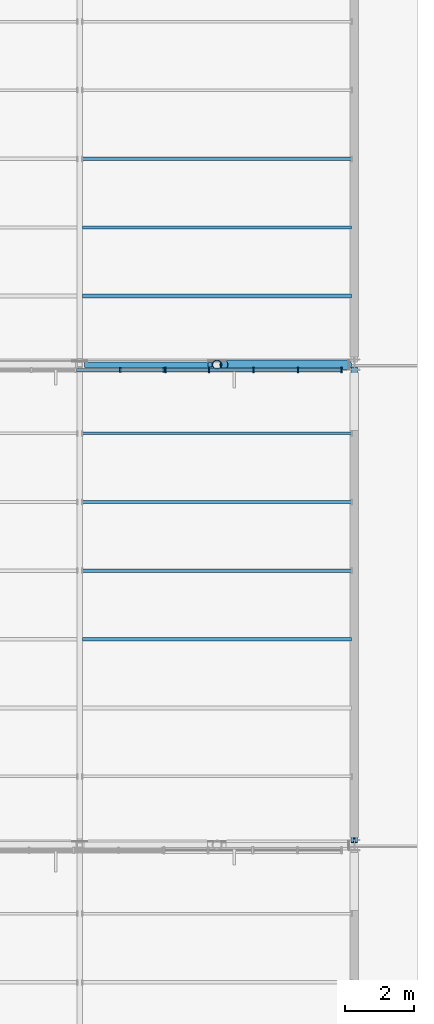
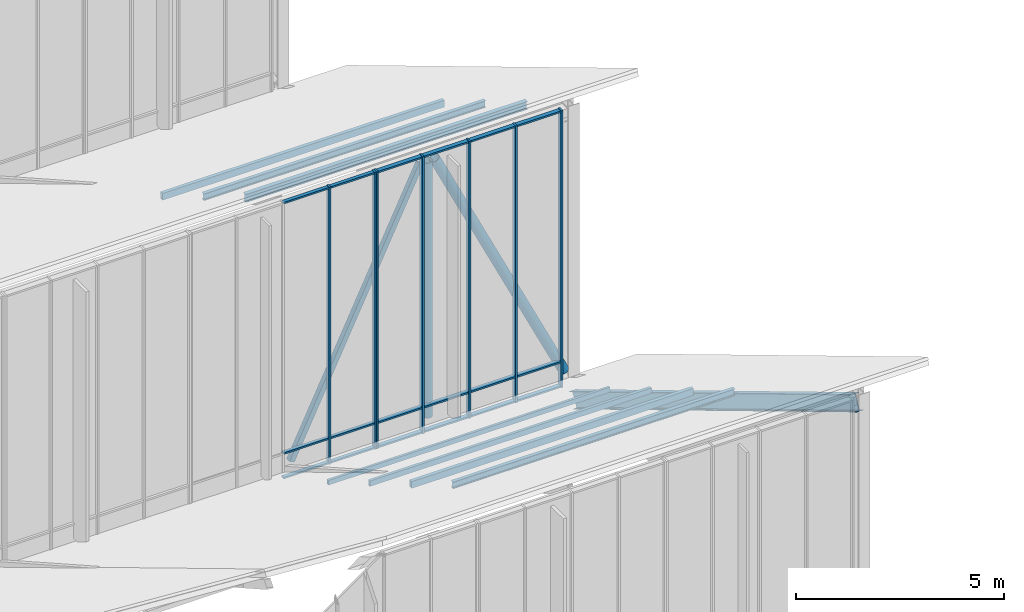
# One storey, part 48 of 155: 35 members, 1 beam, 2 elements without a shape of their own.
"""IFC4 building model written with IfcOpenShell, lengths in metres."""

from ifc_helpers import new_model, si_unit, direction, frame, origin, origin_2d, place, context, subcontext, project, spatial, rectangle, hollow_rectangle, hollow_circle, i_section, extrude, material, material_profile, profile_set, type_object, element, aggregate, save


model = new_model("IFC4")

# Units and contexts
model_context = context("Model", 3, precision=1e-05, world=origin(), true_north=direction((0.0, 1.0)))
body_context = subcontext(model_context, "Body", "Model", "MODEL_VIEW")
ifc_project = project(units=[si_unit("LENGTHUNIT", "METRE"), si_unit("AREAUNIT", "SQUARE_METRE"), si_unit("VOLUMEUNIT", "CUBIC_METRE"), si_unit("PLANEANGLEUNIT", "RADIAN"), si_unit("MASSUNIT", "GRAM", prefix="KILO")], contexts=[model_context])

# Site, building, storey
site_placement = place(None, origin())
site = spatial("IfcSite", under=ifc_project, at=site_placement, CompositionType="ELEMENT")
building_placement = place(site_placement, origin())
building = spatial("IfcBuilding", under=site, at=building_placement, Name="Larkveld Mobility Hub", CompositionType="ELEMENT")
storey_placement = place(building_placement, frame((0.0, 0.0, 8.39990234375)))
storey = spatial("IfcBuildingStorey", under=building, at=storey_placement, Name="L02", CompositionType="ELEMENT", Elevation=8.39990234375)

# Beam
ifc_material_1 = material(Name="Steel S355JR", Category="steel")
ifc_material_profile_1 = material_profile(ifc_material_1, i_section(OverallWidth=0.18994140625, OverallDepth=0.449951171875, WebThickness=0.009521484375, FlangeThickness=0.0146484375, FilletRadius=0.02099609375, at=origin_2d()), Name="IPE 450")
ifc_profile_set_1 = profile_set([ifc_material_profile_1], Name="Steel S355JR")
beam_type = type_object("IfcBeamType", Name="BM-STIPE450", PredefinedType="BEAM", material=ifc_profile_set_1)
beam_placement = place(storey_placement, frame((184.0, 42.179931640625, 7.68408203125), z_axis=(0.0, 0.857492925713, -0.514495755428), x_axis=(-1.0, 0.0, 0.0)))
element("IfcBeam", 1, at=beam_placement, inside=storey, type_object=beam_type, Name="ROOF TRUSS Sawtooth Edge Rafter B2-184", PredefinedType="BEAM", context=body_context, shape_type="SweptSolid", body=[
    extrude(i_section(OverallWidth=0.18994140625, OverallDepth=0.449951171875, WebThickness=0.009521484375, FlangeThickness=0.0146484375, FilletRadius=0.02099609375, at=origin_2d()), origin(), (0.0, 0.0, 1.0), 15.906982421875),
])

# Curtain wall, members
ifc_material_2 = material(Name="Anodised aluminium 6063-T6", Category="aluminium")
curtain_wall_type_1 = type_object("IfcCurtainWallType", Name="CW-SYS-01", PredefinedType="NOTDEFINED", material=ifc_material_2)
curtain_wall_1_placement = place(storey_placement, origin())
curtain_wall_1 = element("IfcCurtainWall", 2, at=curtain_wall_1_placement, inside=storey, type_object=curtain_wall_type_1, Name="Sawtooth South-Light Clerestory B3 CW-025", PredefinedType="NOTDEFINED")
ifc_material_profile_2 = material_profile(ifc_material_2, rectangle(XDim=0.050048828125, YDim=0.14990234375, at=origin_2d()), Name="ALU MULL 50x150")
ifc_profile_set_2 = profile_set([ifc_material_profile_2], Name="Anodised aluminium 6063-T6")
member_type_1 = type_object("IfcMemberType", Name="CW-MUL-01", PredefinedType="MULLION", material=ifc_profile_set_2)
member_1_placement = place(storey_placement, frame((178.4970703125, 55.844970703125, -0.001953125), z_axis=(0.0, 0.0, 1.0), x_axis=(1.0, 0.0, 0.0)))
member_1 = element("IfcMember", 3, at=member_1_placement, type_object=member_type_1, Name="CW01 mullion 1", PredefinedType="MULLION", context=body_context, shape_type="SweptSolid", body=[
    extrude(rectangle(XDim=0.050048828125, YDim=0.14990234375, at=origin_2d()), origin(), (0.0, 0.0, 1.0), 8.152099609375),
])
member_2_placement = place(storey_placement, frame((179.76708984375, 55.844970703125, -0.001953125), z_axis=(0.0, 0.0, 1.0), x_axis=(1.0, 0.0, 0.0)))
member_2 = element("IfcMember", 4, at=member_2_placement, type_object=member_type_1, Name="CW01 mullion 2", PredefinedType="MULLION", context=body_context, shape_type="SweptSolid", body=[
    extrude(rectangle(XDim=0.050048828125, YDim=0.14990234375, at=origin_2d()), origin(), (0.0, 0.0, 1.0), 8.152099609375),
])
member_3_placement = place(storey_placement, frame((181.06103515625, 55.844970703125, -0.001953125), z_axis=(0.0, 0.0, 1.0), x_axis=(1.0, 0.0, 0.0)))
member_3 = element("IfcMember", 5, at=member_3_placement, type_object=member_type_1, Name="CW01 mullion 3", PredefinedType="MULLION", context=body_context, shape_type="SweptSolid", body=[
    extrude(rectangle(XDim=0.050048828125, YDim=0.14990234375, at=origin_2d()), origin(), (0.0, 0.0, 1.0), 8.152099609375),
])
member_4_placement = place(storey_placement, frame((182.35595703125, 55.844970703125, -0.001953125), z_axis=(0.0, 0.0, 1.0), x_axis=(1.0, 0.0, 0.0)))
member_4 = element("IfcMember", 6, at=member_4_placement, type_object=member_type_1, Name="CW01 mullion 4", PredefinedType="MULLION", context=body_context, shape_type="SweptSolid", body=[
    extrude(rectangle(XDim=0.050048828125, YDim=0.14990234375, at=origin_2d()), origin(), (0.0, 0.0, 1.0), 8.152099609375),
])
member_5_placement = place(storey_placement, frame((183.625, 55.844970703125, -0.001953125), z_axis=(0.0, 0.0, 1.0), x_axis=(1.0, 0.0, 0.0)))
member_5 = element("IfcMember", 7, at=member_5_placement, type_object=member_type_1, Name="CW01 mullion 5", PredefinedType="MULLION", context=body_context, shape_type="SweptSolid", body=[
    extrude(rectangle(XDim=0.050048828125, YDim=0.14990234375, at=origin_2d()), origin(), (0.0, 0.0, 1.0), 8.152099609375),
])

curtain_wall_type_2 = type_object("IfcCurtainWallType", Name="CW-SYS-12", PredefinedType="NOTDEFINED", material=ifc_material_2)
curtain_wall_2_placement = place(storey_placement, origin())
curtain_wall_2 = element("IfcCurtainWall", 8, at=curtain_wall_2_placement, inside=storey, type_object=curtain_wall_type_2, Name="Sawtooth South-Light Clerestory B3 CW-024", PredefinedType="NOTDEFINED")
ifc_material_profile_3 = material_profile(ifc_material_2, rectangle(XDim=0.050048828125, YDim=0.1298828125, at=origin_2d()), Name="ALU MULL 50x130")
ifc_profile_set_3 = profile_set([ifc_material_profile_3], Name="Anodised aluminium 6063-T6")
member_type_2 = type_object("IfcMemberType", Name="CW-MUL-04", PredefinedType="MULLION", material=ifc_profile_set_3)
member_6_placement = place(storey_placement, frame((177.177001953125, 55.844970703125, -0.001953125), z_axis=(0.0, 0.0, 1.0), x_axis=(1.0, 0.0, 0.0)))
member_6 = element("IfcMember", 9, at=member_6_placement, type_object=member_type_2, Name="CW12 mullion 4", PredefinedType="MULLION", context=body_context, shape_type="SweptSolid", body=[
    extrude(rectangle(XDim=0.050048828125, YDim=0.1298828125, at=origin_2d()), origin(), (0.0, 0.0, 1.0), 8.152099609375),
])
member_7_placement = place(storey_placement, frame((178.446044921875, 55.844970703125, -0.001953125), z_axis=(0.0, 0.0, 1.0), x_axis=(1.0, 0.0, 0.0)))
member_7 = element("IfcMember", 10, at=member_7_placement, type_object=member_type_2, Name="CW12 mullion 5", PredefinedType="MULLION", context=body_context, shape_type="SweptSolid", body=[
    extrude(rectangle(XDim=0.050048828125, YDim=0.1298828125, at=origin_2d()), origin(), (0.0, 0.0, 1.0), 8.152099609375),
])

# Member
ifc_material_profile_4 = material_profile(ifc_material_2, rectangle(XDim=0.1201171875, YDim=0.050048828125, at=origin_2d()), Name="ALU TRAN 50x120")
ifc_profile_set_4 = profile_set([ifc_material_profile_4], Name="Anodised aluminium 6063-T6")
member_type_3 = type_object("IfcMemberType", Name="CW-TRN-01", PredefinedType="USERDEFINED", material=ifc_profile_set_4)
member_8_placement = place(storey_placement, frame((178.507080078125, 55.844970703125, 0.030029296875), z_axis=(1.0, 0.0, 0.0), x_axis=(0.0, 1.0, 0.0)))
member_8 = element("IfcMember", 11, at=member_8_placement, type_object=member_type_3, Name="CW01 transom 1.1", ObjectType="TRANSOM", PredefinedType="USERDEFINED", context=body_context, shape_type="SweptSolid", body=[
    extrude(rectangle(XDim=0.1201171875, YDim=0.050048828125, at=origin_2d()), origin(), (0.0, 0.0, 1.0), 1.244873046875),
])

member_9_placement = place(storey_placement, frame((178.507080078125, 55.844970703125, 0.75), z_axis=(1.0, 0.0, 0.0), x_axis=(0.0, 1.0, 0.0)))
member_9 = element("IfcMember", 12, at=member_9_placement, type_object=member_type_3, Name="CW01 transom 1.2", ObjectType="TRANSOM", PredefinedType="USERDEFINED", context=body_context, shape_type="SweptSolid", body=[
    extrude(rectangle(XDim=0.1201171875, YDim=0.050048828125, at=origin_2d()), origin(), (0.0, 0.0, 1.0), 1.244873046875),
])

member_10_placement = place(storey_placement, frame((178.507080078125, 55.844970703125, 8.1181640625), z_axis=(1.0, 0.0, 0.0), x_axis=(0.0, 1.0, 0.0)))
member_10 = element("IfcMember", 13, at=member_10_placement, type_object=member_type_3, Name="CW01 transom 1.3", ObjectType="TRANSOM", PredefinedType="USERDEFINED", context=body_context, shape_type="SweptSolid", body=[
    extrude(rectangle(XDim=0.1201171875, YDim=0.050048828125, at=origin_2d()), origin(), (0.0, 0.0, 1.0), 1.244873046875),
])

member_11_placement = place(storey_placement, frame((179.781982421875, 55.844970703125, 0.030029296875), z_axis=(1.0, 0.0, 0.0), x_axis=(0.0, 1.0, 0.0)))
member_11 = element("IfcMember", 14, at=member_11_placement, type_object=member_type_3, Name="CW01 transom 2.1", ObjectType="TRANSOM", PredefinedType="USERDEFINED", context=body_context, shape_type="SweptSolid", body=[
    extrude(rectangle(XDim=0.1201171875, YDim=0.050048828125, at=origin_2d()), origin(), (0.0, 0.0, 1.0), 1.263916015625),
])

member_12_placement = place(storey_placement, frame((179.781982421875, 55.844970703125, 0.75), z_axis=(1.0, 0.0, 0.0), x_axis=(0.0, 1.0, 0.0)))
member_12 = element("IfcMember", 15, at=member_12_placement, type_object=member_type_3, Name="CW01 transom 2.2", ObjectType="TRANSOM", PredefinedType="USERDEFINED", context=body_context, shape_type="SweptSolid", body=[
    extrude(rectangle(XDim=0.1201171875, YDim=0.050048828125, at=origin_2d()), origin(), (0.0, 0.0, 1.0), 1.263916015625),
])

member_13_placement = place(storey_placement, frame((179.781982421875, 55.844970703125, 8.1181640625), z_axis=(1.0, 0.0, 0.0), x_axis=(0.0, 1.0, 0.0)))
member_13 = element("IfcMember", 16, at=member_13_placement, type_object=member_type_3, Name="CW01 transom 2.3", ObjectType="TRANSOM", PredefinedType="USERDEFINED", context=body_context, shape_type="SweptSolid", body=[
    extrude(rectangle(XDim=0.1201171875, YDim=0.050048828125, at=origin_2d()), origin(), (0.0, 0.0, 1.0), 1.263916015625),
])

member_14_placement = place(storey_placement, frame((181.075927734375, 55.844970703125, 0.030029296875), z_axis=(1.0, 0.0, 0.0), x_axis=(0.0, 1.0, 0.0)))
member_14 = element("IfcMember", 17, at=member_14_placement, type_object=member_type_3, Name="CW01 transom 3.1", ObjectType="TRANSOM", PredefinedType="USERDEFINED", context=body_context, shape_type="SweptSolid", body=[
    extrude(rectangle(XDim=0.1201171875, YDim=0.050048828125, at=origin_2d()), origin(), (0.0, 0.0, 1.0), 1.26513671875),
])

member_15_placement = place(storey_placement, frame((181.075927734375, 55.844970703125, 0.75), z_axis=(1.0, 0.0, 0.0), x_axis=(0.0, 1.0, 0.0)))
member_15 = element("IfcMember", 18, at=member_15_placement, type_object=member_type_3, Name="CW01 transom 3.2", ObjectType="TRANSOM", PredefinedType="USERDEFINED", context=body_context, shape_type="SweptSolid", body=[
    extrude(rectangle(XDim=0.1201171875, YDim=0.050048828125, at=origin_2d()), origin(), (0.0, 0.0, 1.0), 1.26513671875),
])

member_16_placement = place(storey_placement, frame((181.075927734375, 55.844970703125, 8.1181640625), z_axis=(1.0, 0.0, 0.0), x_axis=(0.0, 1.0, 0.0)))
member_16 = element("IfcMember", 19, at=member_16_placement, type_object=member_type_3, Name="CW01 transom 3.3", ObjectType="TRANSOM", PredefinedType="USERDEFINED", context=body_context, shape_type="SweptSolid", body=[
    extrude(rectangle(XDim=0.1201171875, YDim=0.050048828125, at=origin_2d()), origin(), (0.0, 0.0, 1.0), 1.26513671875),
])

member_17_placement = place(storey_placement, frame((182.37109375, 55.844970703125, 0.030029296875), z_axis=(1.0, 0.0, 0.0), x_axis=(0.0, 1.0, 0.0)))
member_17 = element("IfcMember", 20, at=member_17_placement, type_object=member_type_3, Name="CW01 transom 4.1", ObjectType="TRANSOM", PredefinedType="USERDEFINED", context=body_context, shape_type="SweptSolid", body=[
    extrude(rectangle(XDim=0.1201171875, YDim=0.050048828125, at=origin_2d()), origin(), (0.0, 0.0, 1.0), 1.243896484375),
])

member_18_placement = place(storey_placement, frame((182.37109375, 55.844970703125, 0.75), z_axis=(1.0, 0.0, 0.0), x_axis=(0.0, 1.0, 0.0)))
member_18 = element("IfcMember", 21, at=member_18_placement, type_object=member_type_3, Name="CW01 transom 4.2", ObjectType="TRANSOM", PredefinedType="USERDEFINED", context=body_context, shape_type="SweptSolid", body=[
    extrude(rectangle(XDim=0.1201171875, YDim=0.050048828125, at=origin_2d()), origin(), (0.0, 0.0, 1.0), 1.243896484375),
])

member_19_placement = place(storey_placement, frame((182.37109375, 55.844970703125, 8.1181640625), z_axis=(1.0, 0.0, 0.0), x_axis=(0.0, 1.0, 0.0)))
member_19 = element("IfcMember", 22, at=member_19_placement, type_object=member_type_3, Name="CW01 transom 4.3", ObjectType="TRANSOM", PredefinedType="USERDEFINED", context=body_context, shape_type="SweptSolid", body=[
    extrude(rectangle(XDim=0.1201171875, YDim=0.050048828125, at=origin_2d()), origin(), (0.0, 0.0, 1.0), 1.243896484375),
])

aggregate(curtain_wall_1, [member_1, member_2, member_3, member_4, member_5, member_8, member_9, member_10, member_11, member_12, member_13, member_14, member_15, member_16, member_17, member_18, member_19])

ifc_material_profile_5 = material_profile(ifc_material_2, rectangle(XDim=0.10009765625, YDim=0.050048828125, at=origin_2d()), Name="ALU TRAN 50x100")
ifc_profile_set_5 = profile_set([ifc_material_profile_5], Name="Anodised aluminium 6063-T6")
member_type_4 = type_object("IfcMemberType", Name="CW-TRN-04", PredefinedType="USERDEFINED", material=ifc_profile_set_5)
member_20_placement = place(storey_placement, frame((175.89697265625, 55.844970703125, 0.030029296875), z_axis=(1.0, 0.0, 0.0), x_axis=(0.0, 1.0, 0.0)))
member_20 = element("IfcMember", 23, at=member_20_placement, type_object=member_type_4, Name="CW12 transom 3.1", ObjectType="TRANSOM", PredefinedType="USERDEFINED", context=body_context, shape_type="SweptSolid", body=[
    extrude(rectangle(XDim=0.10009765625, YDim=0.050048828125, at=origin_2d()), origin(), (0.0, 0.0, 1.0), 1.26513671875),
])

member_21_placement = place(storey_placement, frame((175.89697265625, 55.844970703125, 0.75), z_axis=(1.0, 0.0, 0.0), x_axis=(0.0, 1.0, 0.0)))
member_21 = element("IfcMember", 24, at=member_21_placement, type_object=member_type_4, Name="CW12 transom 3.2", ObjectType="TRANSOM", PredefinedType="USERDEFINED", context=body_context, shape_type="SweptSolid", body=[
    extrude(rectangle(XDim=0.10009765625, YDim=0.050048828125, at=origin_2d()), origin(), (0.0, 0.0, 1.0), 1.26513671875),
])

member_22_placement = place(storey_placement, frame((175.89697265625, 55.844970703125, 8.1181640625), z_axis=(1.0, 0.0, 0.0), x_axis=(0.0, 1.0, 0.0)))
member_22 = element("IfcMember", 25, at=member_22_placement, type_object=member_type_4, Name="CW12 transom 3.3", ObjectType="TRANSOM", PredefinedType="USERDEFINED", context=body_context, shape_type="SweptSolid", body=[
    extrude(rectangle(XDim=0.10009765625, YDim=0.050048828125, at=origin_2d()), origin(), (0.0, 0.0, 1.0), 1.26513671875),
])

member_23_placement = place(storey_placement, frame((177.19189453125, 55.844970703125, 0.030029296875), z_axis=(1.0, 0.0, 0.0), x_axis=(0.0, 1.0, 0.0)))
member_23 = element("IfcMember", 26, at=member_23_placement, type_object=member_type_4, Name="CW12 transom 4.1", ObjectType="TRANSOM", PredefinedType="USERDEFINED", context=body_context, shape_type="SweptSolid", body=[
    extrude(rectangle(XDim=0.10009765625, YDim=0.050048828125, at=origin_2d()), origin(), (0.0, 0.0, 1.0), 1.244140625),
])

member_24_placement = place(storey_placement, frame((177.19189453125, 55.844970703125, 0.75), z_axis=(1.0, 0.0, 0.0), x_axis=(0.0, 1.0, 0.0)))
member_24 = element("IfcMember", 27, at=member_24_placement, type_object=member_type_4, Name="CW12 transom 4.2", ObjectType="TRANSOM", PredefinedType="USERDEFINED", context=body_context, shape_type="SweptSolid", body=[
    extrude(rectangle(XDim=0.10009765625, YDim=0.050048828125, at=origin_2d()), origin(), (0.0, 0.0, 1.0), 1.244140625),
])

member_25_placement = place(storey_placement, frame((177.19189453125, 55.844970703125, 8.1181640625), z_axis=(1.0, 0.0, 0.0), x_axis=(0.0, 1.0, 0.0)))
member_25 = element("IfcMember", 28, at=member_25_placement, type_object=member_type_4, Name="CW12 transom 4.3", ObjectType="TRANSOM", PredefinedType="USERDEFINED", context=body_context, shape_type="SweptSolid", body=[
    extrude(rectangle(XDim=0.10009765625, YDim=0.050048828125, at=origin_2d()), origin(), (0.0, 0.0, 1.0), 1.244140625),
])

aggregate(curtain_wall_2, [member_6, member_7, member_20, member_21, member_22, member_23, member_24, member_25])

# Members
ifc_material_profile_6 = material_profile(ifc_material_1, hollow_circle(Radius=0.136474609375, WallThickness=0.012451171875, at=origin_2d()), Name="CHS 273x12.5")
ifc_profile_set_6 = profile_set([ifc_material_profile_6], Name="Steel S355JR")
member_type_5 = type_object("IfcMemberType", Name="MB-BR-CHS273", PredefinedType="BRACE", material=ifc_profile_set_6)
member_26_placement = place(storey_placement, frame((180.199951171875, 56.0, 7.8251953125), z_axis=(0.432694817509, 0.0, -0.901540456608), x_axis=(0.0, 1.0, 0.0)))
element("IfcMember", 29, at=member_26_placement, inside=storey, type_object=member_type_5, Name="ROOF TRUSS T3 Web Diagonal 8", PredefinedType="BRACE", context=body_context, shape_type="SweptSolid", body=[
    extrude(hollow_circle(Radius=0.136474609375, WallThickness=0.012451171875, at=origin_2d()), origin(), (0.0, 0.0, 1.0), 8.320068359375),
])
member_27_placement = place(storey_placement, frame((180.0, 56.0, 0.32421875), z_axis=(0.0, 0.0, 1.0), x_axis=(1.0, 0.0, 0.0)))
element("IfcMember", 30, at=member_27_placement, inside=storey, type_object=member_type_5, Name="ROOF TRUSS T3 Vertical Post 7", PredefinedType="BRACE", context=body_context, shape_type="SweptSolid", body=[
    extrude(hollow_circle(Radius=0.136474609375, WallThickness=0.012451171875, at=origin_2d()), origin(), (0.0, 0.0, 1.0), 7.5009765625),
])
ifc_material_profile_7 = material_profile(ifc_material_1, hollow_rectangle(XDim=0.14990234375, YDim=0.14990234375, WallThickness=0.008056640625, at=origin_2d()), Name="SHS 150x150x8")
ifc_profile_set_7 = profile_set([ifc_material_profile_7], Name="Steel S355JR")
member_type_6 = type_object("IfcMemberType", Name="MB-BR-SHS150", PredefinedType="BRACE", material=ifc_profile_set_7)
member_28_placement = place(storey_placement, frame((176.199951171875, 56.0, 0.32421875), z_axis=(0.432694817509, 0.0, 0.901540456608), x_axis=(0.0, 1.0, 0.0)))
element("IfcMember", 31, at=member_28_placement, inside=storey, type_object=member_type_6, Name="ROOF TRUSS T3 Web Diagonal 7", PredefinedType="BRACE", context=body_context, shape_type="SweptSolid", body=[
    extrude(hollow_rectangle(XDim=0.14990234375, YDim=0.14990234375, WallThickness=0.008056640625, at=origin_2d()), origin(), (0.0, 0.0, 1.0), 8.320068359375),
])
ifc_material_profile_8 = material_profile(ifc_material_1, i_section(OverallWidth=0.10009765625, OverallDepth=0.199951171875, WebThickness=0.005615234375, FlangeThickness=0.008544921875, FilletRadius=0.011962890625, at=origin_2d()), Name="IPE 200")
ifc_profile_set_8 = profile_set([ifc_material_profile_8], Name="Steel S355JR")
member_type_7 = type_object("IfcMemberType", Name="MB-PR-IPE200", PredefinedType="PURLIN", material=ifc_profile_set_8)
for number, where, z_axis, x_axis, name in (
    (32, (176.080078125, 48.0, 4.507080078125), (1.0, 0.0, 0.0), (0.0, 1.0, 0.0), "Sawtooth Roof Purlin B2-3.4"),
    (33, (176.080078125, 60.0, 5.70703125), (1.0, 0.0, 0.0), (0.0, 1.0, 0.0), "Sawtooth Roof Purlin B3-2.4"),
):
    element("IfcMember", number, at=place(storey_placement, frame(where, z_axis=z_axis, x_axis=x_axis)), inside=storey, type_object=member_type_7, Name=name, PredefinedType="PURLIN", context=body_context, shape_type="SweptSolid", body=[
        extrude(i_section(OverallWidth=0.10009765625, OverallDepth=0.199951171875, WebThickness=0.005615234375, FlangeThickness=0.008544921875, FilletRadius=0.011962890625, at=origin_2d()), origin(), (0.0, 0.0, 1.0), 7.83984375),
    ])
ifc_material_profile_9 = material_profile(ifc_material_1, i_section(OverallWidth=0.1201171875, OverallDepth=0.239990234375, WebThickness=0.006103515625, FlangeThickness=0.009765625, FilletRadius=0.014892578125, at=origin_2d()), Name="IPE 240")
ifc_profile_set_9 = profile_set([ifc_material_profile_9], Name="Steel S355JR")
member_type_8 = type_object("IfcMemberType", Name="MB-PR-IPE240", PredefinedType="PURLIN", material=ifc_profile_set_9)
member_29_placement = place(storey_placement, frame((176.080078125, 58.0, 6.88720703125), z_axis=(1.0, 0.0, 0.0), x_axis=(0.0, 1.0, 0.0)))
element("IfcMember", 34, at=member_29_placement, inside=storey, type_object=member_type_8, Name="Sawtooth Roof Purlin B3-1.4", PredefinedType="PURLIN", context=body_context, shape_type="SweptSolid", body=[
    extrude(i_section(OverallWidth=0.1201171875, OverallDepth=0.239990234375, WebThickness=0.006103515625, FlangeThickness=0.009765625, FilletRadius=0.014892578125, at=origin_2d()), origin(), (0.0, 0.0, 1.0), 7.83984375),
])
ifc_material_profile_10 = material_profile(ifc_material_1, hollow_rectangle(XDim=0.070068359375, YDim=0.139892578125, WallThickness=0.00634765625, at=origin_2d()), Name="RHS 140x70x6.3")
ifc_profile_set_10 = profile_set([ifc_material_profile_10], Name="Steel S355JR")
member_type_9 = type_object("IfcMemberType", Name="MB-PR-RHS140", PredefinedType="PURLIN", material=ifc_profile_set_10)
member_30_placement = place(storey_placement, frame((176.080078125, 54.0, 0.93701171875), z_axis=(1.0, 0.0, 0.0), x_axis=(0.0, 1.0, 0.0)))
element("IfcMember", 35, at=member_30_placement, inside=storey, type_object=member_type_9, Name="Sawtooth Roof Purlin B2-6.4", PredefinedType="PURLIN", context=body_context, shape_type="SweptSolid", body=[
    extrude(hollow_rectangle(XDim=0.070068359375, YDim=0.139892578125, WallThickness=0.00634765625, at=origin_2d()), origin(), (0.0, 0.0, 1.0), 7.83984375),
])
ifc_material_profile_11 = material_profile(ifc_material_1, hollow_rectangle(XDim=0.080078125, YDim=0.159912109375, WallThickness=0.008056640625, at=origin_2d()), Name="RHS 160x80x8")
ifc_profile_set_11 = profile_set([ifc_material_profile_11], Name="Steel S355JR")
member_type_10 = type_object("IfcMemberType", Name="MB-PR-RHS160", PredefinedType="PURLIN", material=ifc_profile_set_11)
member_31_placement = place(storey_placement, frame((176.080078125, 52.0, 2.127197265625), z_axis=(1.0, 0.0, 0.0), x_axis=(0.0, 1.0, 0.0)))
element("IfcMember", 36, at=member_31_placement, inside=storey, type_object=member_type_10, Name="Sawtooth Roof Purlin B2-5.4", PredefinedType="PURLIN", context=body_context, shape_type="SweptSolid", body=[
    extrude(hollow_rectangle(XDim=0.080078125, YDim=0.159912109375, WallThickness=0.008056640625, at=origin_2d()), origin(), (0.0, 0.0, 1.0), 7.83984375),
])
ifc_material_profile_12 = material_profile(ifc_material_1, hollow_rectangle(XDim=0.10009765625, YDim=0.199951171875, WallThickness=0.008056640625, at=origin_2d()), Name="RHS 200x100x8")
ifc_profile_set_12 = profile_set([ifc_material_profile_12], Name="Steel S355JR")
member_type_11 = type_object("IfcMemberType", Name="MB-PR-RHS200", PredefinedType="PURLIN", material=ifc_profile_set_12)
for number, where, z_axis, x_axis, name in (
    (37, (176.080078125, 50.0, 3.30712890625), (1.0, 0.0, 0.0), (0.0, 1.0, 0.0), "Sawtooth Roof Purlin B2-4.4"),
    (38, (176.080078125, 62.0, 4.507080078125), (1.0, 0.0, 0.0), (0.0, 1.0, 0.0), "Sawtooth Roof Purlin B3-3.4"),
):
    element("IfcMember", number, at=place(storey_placement, frame(where, z_axis=z_axis, x_axis=x_axis)), inside=storey, type_object=member_type_11, Name=name, PredefinedType="PURLIN", context=body_context, shape_type="SweptSolid", body=[
        extrude(hollow_rectangle(XDim=0.10009765625, YDim=0.199951171875, WallThickness=0.008056640625, at=origin_2d()), origin(), (0.0, 0.0, 1.0), 7.83984375),
    ])

save(model, "model.ifc")
